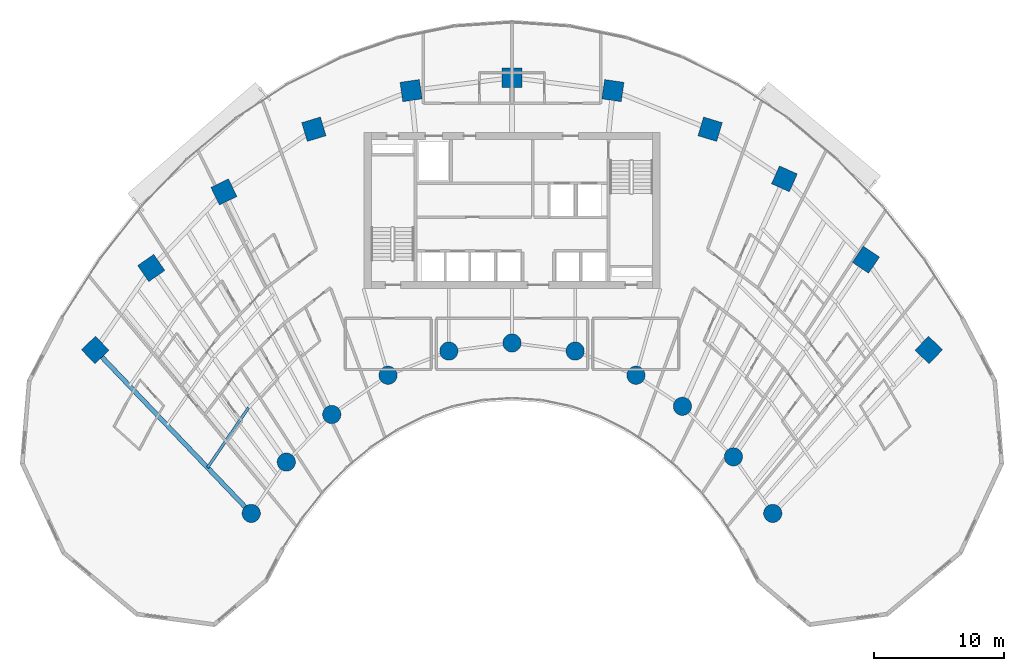
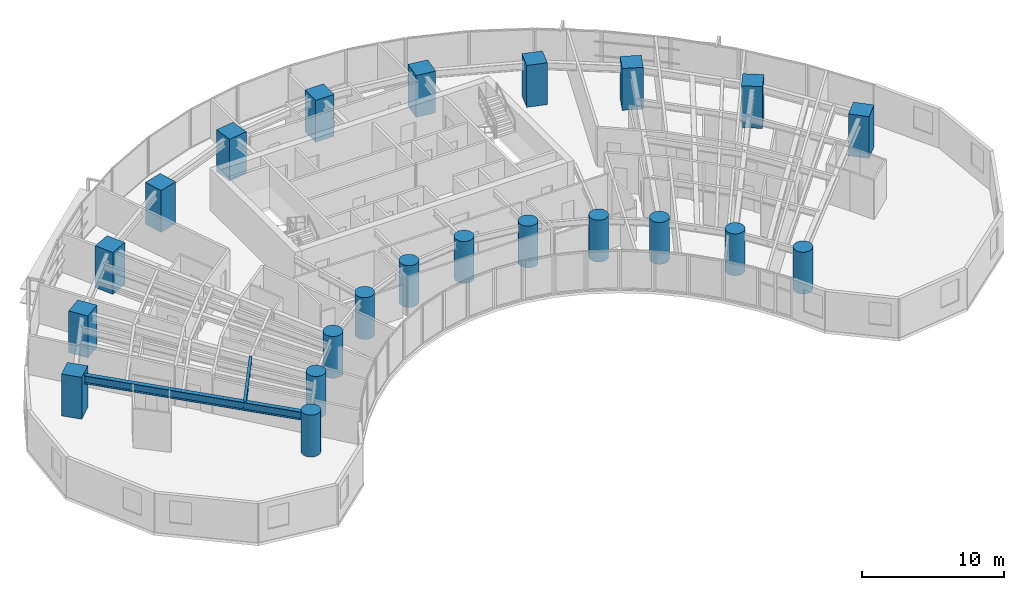
# One storey, part 1 of 18: 22 columns, 2 beams.
"""IFC4 building model written with IfcOpenShell, lengths in metres."""

from ifc_helpers import new_model, si_unit, direction, frame, origin, origin_2d, place, context, subcontext, project, spatial, rectangle, circle, i_section, extrude, source, transform, mapped, material, material_profile, profile_set, type_object, type_shapes, element, save


model = new_model("IFC4")

# Units and contexts
model_context = context("Model", 3, precision=1e-05, world=origin(), true_north=direction((0.0, 1.0)))
body_context = subcontext(model_context, "Body", "Model", "MODEL_VIEW")
ifc_project = project(units=[si_unit("LENGTHUNIT", "METRE"), si_unit("AREAUNIT", "SQUARE_METRE"), si_unit("VOLUMEUNIT", "CUBIC_METRE"), si_unit("PLANEANGLEUNIT", "RADIAN"), si_unit("MASSUNIT", "GRAM", prefix="KILO")], contexts=[model_context])

# Site, building, storey
site_placement = place(None, origin())
site = spatial("IfcSite", under=ifc_project, at=site_placement, CompositionType="ELEMENT")
building_placement = place(site_placement, origin())
building = spatial("IfcBuilding", under=site, at=building_placement, Name="Breltana Convention Tower", CompositionType="ELEMENT")
storey_placement = place(building_placement, frame((0.0, 0.0, 39.0)))
storey = spatial("IfcBuildingStorey", under=building, at=storey_placement, Name="L07", CompositionType="ELEMENT", Elevation=39.0)

# Columns
ifc_material_1 = material(Name="Concrete C60/75", Category="concrete")
ifc_material_profile_1 = material_profile(ifc_material_1, circle(Radius=0.699951171875, at=origin_2d()), Name="RC-COL-D1400")
ifc_profile_set_1 = profile_set([ifc_material_profile_1], Name="Concrete C60/75")
column_type_1 = type_object("IfcColumnType", Name="COL-RC-D1400", PredefinedType="COLUMN", material=ifc_profile_set_1)
shared_shape_1 = source(origin(), body_context, "Body", "SweptSolid", [
    extrude(circle(Radius=0.699951171875, at=origin_2d()), origin(), (0.0, 0.0, 1.0), 3.60009765625),
])
for number, where, z_axis, x_axis, name in (
    (1, (27.984619140625, 42.95458984375, 0.0), (0.0, 0.0, 1.0), (-0.690756218984, 0.723087716626, 0.0), "L07 Tower Column R01-IN"),
    (2, (30.67724609375, 46.892333984375, 0.0), (0.0, 0.0, 1.0), (-0.571143442153, 0.820850271661, 0.0), "L07 Tower Column R02-IN"),
    (3, (34.166259765625, 50.544921875, 0.0), (0.0, 0.0, 1.0), (-0.436173672171, 0.899862504889, 0.0), "L07 Tower Column R03-IN"),
    (4, (38.485107421875, 53.5576171875, 0.0), (0.0, 0.0, 1.0), (-0.288697611798, 0.957420330337, 0.0), "L07 Tower Column R04-IN"),
    (5, (43.153564453125, 55.41064453125, 0.0), (0.0, 0.0, 1.0), (-0.143492621991, 0.98965138682, 0.0), "L07 Tower Column R05-IN"),
    (6, (48.0, 56.035888671875, 0.0), (0.0, 0.0, 1.0), (0.0, 1.0, 0.0), "L07 Tower Column R06-IN"),
    (7, (52.846435546875, 55.41064453125, 0.0), (0.0, 0.0, 1.0), (0.143492621991, 0.98965138682, 0.0), "L07 Tower Column R07-IN"),
    (8, (57.514892578125, 53.5576171875, 0.0), (0.0, 0.0, 1.0), (0.288697611798, 0.957420330337, 0.0), "L07 Tower Column R08-IN"),
    (9, (61.08203125, 51.174560546875, 0.0), (0.0, 0.0, 1.0), (0.409126902895, 0.912477494148, 0.0), "L07 Tower Column R09-IN"),
    (10, (64.995849609375, 47.293701171875, 0.0), (0.0, 0.0, 1.0), (0.55774510898, 0.830012285095, 0.0), "L07 Tower Column R10-IN"),
    (11, (68.015380859375, 42.95458984375, 0.0), (0.0, 0.0, 1.0), (0.690756218984, 0.723087716626, 0.0), "L07 Tower Column R11-IN"),
):
    element("IfcColumn", number, at=place(storey_placement, frame(where, z_axis=z_axis, x_axis=x_axis)), inside=storey, type_object=column_type_1, Name=name, PredefinedType="COLUMN", context=body_context, shape_type="MappedRepresentation", body=[
        mapped(shared_shape_1, transform((0.0, 0.0, 0.0), scale=1.0)),
    ])
ifc_material_profile_2 = material_profile(ifc_material_1, rectangle(XDim=1.5, YDim=1.5, at=origin_2d()), Name="RC-COL-1500X1500")
ifc_profile_set_2 = profile_set([ifc_material_profile_2], Name="Concrete C60/75")
column_type_2 = type_object("IfcColumnType", Name="COL-RC-1500", PredefinedType="COLUMN", material=ifc_profile_set_2)
shared_shape_2 = source(origin(), body_context, "Body", "SweptSolid", [
    extrude(rectangle(XDim=1.5, YDim=1.5, at=origin_2d()), origin(), (0.0, 0.0, 1.0), 3.60009765625),
])
for number, where, z_axis, x_axis, name in (
    (12, (16.0068359375, 55.494384765625, 0.0), (0.0, 0.0, 1.0), (-0.690756218984, 0.723087716626, 0.0), "L07 Tower Column R01-OUT"),
    (13, (20.310791015625, 61.78857421875, 0.0), (0.0, 0.0, 1.0), (-0.571143442153, 0.820850271661, 0.0), "L07 Tower Column R02-OUT"),
    (14, (25.8876953125, 67.626953125, 0.0), (0.0, 0.0, 1.0), (-0.436173672171, 0.899862504889, 0.0), "L07 Tower Column R03-OUT"),
    (15, (32.791015625, 72.4423828125, 0.0), (0.0, 0.0, 1.0), (-0.288697611798, 0.957420330337, 0.0), "L07 Tower Column R04-OUT"),
    (16, (40.253173828125, 75.404296875, 0.0), (0.0, 0.0, 1.0), (-0.143492621991, 0.98965138682, 0.0), "L07 Tower Column R05-OUT"),
    (17, (48.0, 76.404052734375, 0.0), (0.0, 0.0, 1.0), (0.0, 1.0, 0.0), "L07 Tower Column R06-OUT"),
    (18, (55.746826171875, 75.404296875, 0.0), (0.0, 0.0, 1.0), (0.143492621991, 0.98965138682, 0.0), "L07 Tower Column R07-OUT"),
    (19, (63.208984375, 72.4423828125, 0.0), (0.0, 0.0, 1.0), (0.288697611798, 0.957420330337, 0.0), "L07 Tower Column R08-OUT"),
    (20, (68.910400390625, 68.63330078125, 0.0), (0.0, 0.0, 1.0), (0.409126902895, 0.912477494148, 0.0), "L07 Tower Column R09-OUT"),
    (21, (75.166748046875, 62.43017578125, 0.0), (0.0, 0.0, 1.0), (0.55774510898, 0.830012285095, 0.0), "L07 Tower Column R10-OUT"),
    (22, (79.9931640625, 55.494384765625, 0.0), (0.0, 0.0, 1.0), (0.690756218984, 0.723087716626, 0.0), "L07 Tower Column R11-OUT"),
):
    element("IfcColumn", number, at=place(storey_placement, frame(where, z_axis=z_axis, x_axis=x_axis)), inside=storey, type_object=column_type_2, Name=name, PredefinedType="COLUMN", context=body_context, shape_type="MappedRepresentation", body=[
        mapped(shared_shape_2, transform((0.0, 0.0, 0.0), scale=1.0)),
    ])

# Beams
ifc_material_2 = material(Name="Steel ASTM A992 Grade 50", Category="steel")
ifc_material_profile_3 = material_profile(ifc_material_2, i_section(OverallWidth=0.35498046875, OverallDepth=0.696044921875, WebThickness=0.015380859375, FlangeThickness=0.02490234375, at=origin_2d()), Name="W27X146")
ifc_profile_set_3 = profile_set([ifc_material_profile_3], Name="Steel ASTM A992 Grade 50")
beam_type_1 = type_object("IfcBeamType", Name="BM-RG-W27X146", PredefinedType="USERDEFINED", material=ifc_profile_set_3)
shared_shape_3 = source(origin(), body_context, "Body", "SweptSolid", [
    extrude(i_section(OverallWidth=0.35498046875, OverallDepth=0.696044921875, WebThickness=0.015380859375, FlangeThickness=0.02490234375, at=origin_2d()), origin(), (0.0, 0.0, 1.0), 17.341064453125),
])
type_shapes(beam_type_1, [shared_shape_3])
beam_1_placement = place(storey_placement, frame((27.984619140625, 42.95458984375, 3.011962890625), z_axis=(-0.690716462293, 0.723125693581, 0.0), x_axis=(-0.723125693581, -0.690716462293, 0.0)))
element("IfcBeam", 23, at=beam_1_placement, inside=storey, type_object=beam_type_1, Name="L07 Radial Floor Girder R01", ObjectType="GIRDER", PredefinedType="USERDEFINED", context=body_context, shape_type="MappedRepresentation", body=[
    mapped(shared_shape_3, transform((0.0, 0.0, 0.0), scale=1.0)),
])
ifc_material_profile_4 = material_profile(ifc_material_2, i_section(OverallWidth=0.2099609375, OverallDepth=0.537109375, WebThickness=0.010986328125, FlangeThickness=0.017333984375, at=origin_2d()), Name="W21X68")
ifc_profile_set_4 = profile_set([ifc_material_profile_4], Name="Steel ASTM A992 Grade 50")
beam_type_2 = type_object("IfcBeamType", Name="BM-JSG-04", PredefinedType="JOIST", material=ifc_profile_set_4)
shared_shape_4 = source(origin(), body_context, "Body", "SweptSolid", [
    extrude(i_section(OverallWidth=0.2099609375, OverallDepth=0.537109375, WebThickness=0.010986328125, FlangeThickness=0.017333984375, at=origin_2d()), origin(), (0.0, 0.0, 1.0), 5.569580078125),
])
type_shapes(beam_type_2, [shared_shape_4])
beam_2_placement = place(storey_placement, frame((24.630615234375, 46.4658203125, 3.091552734375), z_axis=(0.564493760458, 0.825437335237, 0.0), x_axis=(-0.825437335237, 0.564493760458, 0.0)))
element("IfcBeam", 24, at=beam_2_placement, inside=storey, type_object=beam_type_2, Name="L07 Composite Floor Joist 01.1", PredefinedType="JOIST", context=body_context, shape_type="MappedRepresentation", body=[
    mapped(shared_shape_4, transform((0.0, 0.0, 0.0), scale=1.0)),
])

save(model, "model.ifc")
